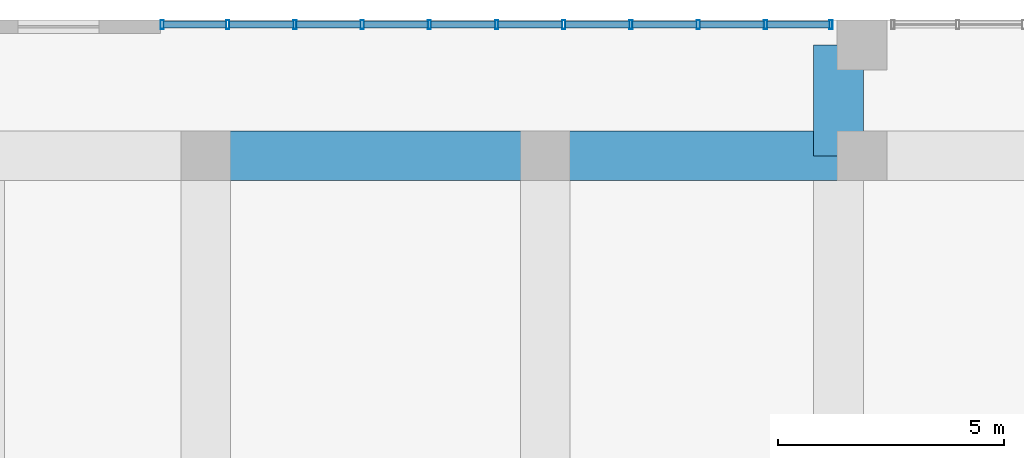
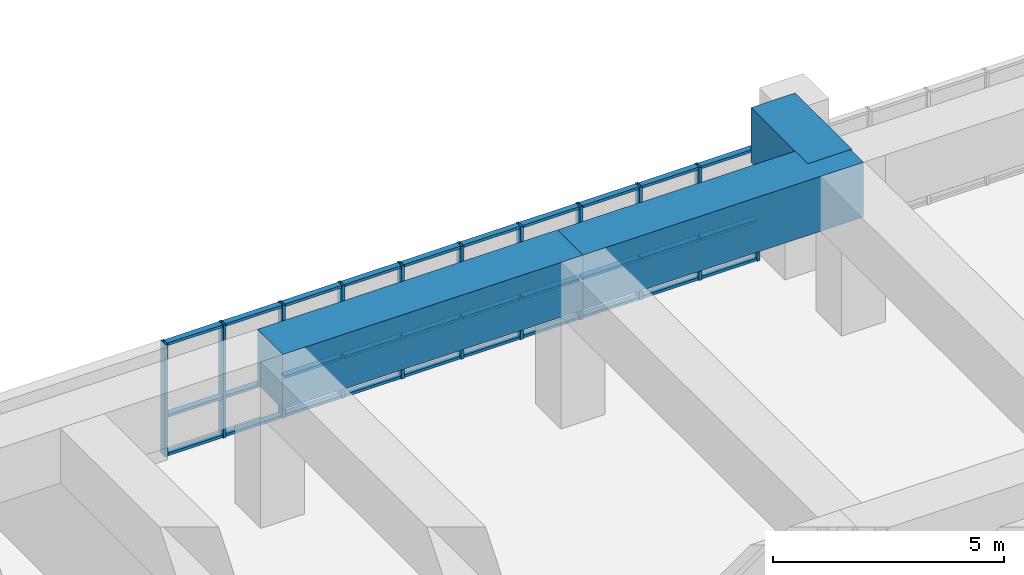
# One storey, part 10 of 28: 41 members, 3 beams, 1 element without a shape of its own.
"""IFC4 building model written with IfcOpenShell, lengths in metres."""

from ifc_helpers import new_model, si_unit, direction, frame, origin, origin_2d, place, context, subcontext, project, spatial, rectangle, hollow_rectangle, extrude, source, transform, mapped, material, layer, layer_set, material_profile, profile_set, type_object, element, aggregate, save


model = new_model("IFC4")

# Units and contexts
model_context = context("Model", 3, precision=1e-05, world=origin(), true_north=direction((0.0, 1.0)))
body_context = subcontext(model_context, "Body", "Model", "MODEL_VIEW")
ifc_project = project(units=[si_unit("LENGTHUNIT", "METRE"), si_unit("AREAUNIT", "SQUARE_METRE"), si_unit("VOLUMEUNIT", "CUBIC_METRE"), si_unit("PLANEANGLEUNIT", "RADIAN"), si_unit("MASSUNIT", "GRAM", prefix="KILO")], contexts=[model_context])

# Site, building, storey
site_placement = place(None, origin())
site = spatial("IfcSite", under=ifc_project, at=site_placement, CompositionType="ELEMENT")
building_placement = place(site_placement, origin())
building = spatial("IfcBuilding", under=site, at=building_placement, Name="Saelheon Loggia Tower", CompositionType="ELEMENT")
storey_placement = place(building_placement, frame((0.0, 0.0, 15.0)))
storey = spatial("IfcBuildingStorey", under=building, at=storey_placement, Name="L04", CompositionType="ELEMENT", Elevation=15.0)

# Beams
ifc_material_1 = material(Name="Concrete C50/60", Category="concrete")
ifc_material_profile_1 = material_profile(ifc_material_1, rectangle(XDim=1.10009765625, YDim=1.449951171875, at=origin_2d()), Name="RC-1100x1450")
ifc_profile_set_1 = profile_set([ifc_material_profile_1], Name="Concrete C50/60")
beam_type = type_object("IfcBeamType", Name="Beam_Transfer_RC1100x1450", PredefinedType="BEAM", material=ifc_profile_set_1)
shared_shape_1 = source(origin(), body_context, "Body", "SweptSolid", [
    extrude(rectangle(XDim=1.10009765625, YDim=1.449951171875, at=origin_2d()), origin(), (0.0, 0.0, 1.0), 7.5),
])
beam_1_placement = place(storey_placement, frame((17.0, 51.0, 3.675048828125), z_axis=(1.0, 0.0, 0.0), x_axis=(0.0, 1.0, 0.0)))
element("IfcBeam", 1, at=beam_1_placement, inside=storey, type_object=beam_type, Name="BM-L04-EW-51-3", PredefinedType="BEAM", context=body_context, shape_type="MappedRepresentation", body=[
    mapped(shared_shape_1, transform((0.0, 0.0, 0.0), scale=1.0)),
])
shared_shape_2 = source(origin(), body_context, "Body", "SweptSolid", [
    extrude(rectangle(XDim=1.10009765625, YDim=1.449951171875, at=origin_2d()), origin(), (0.0, 0.0, 1.0), 7.0),
])
beam_2_placement = place(storey_placement, frame((24.5, 51.0, 3.675048828125), z_axis=(1.0, 0.0, 0.0), x_axis=(0.0, 1.0, 0.0)))
element("IfcBeam", 2, at=beam_2_placement, inside=storey, type_object=beam_type, Name="BM-L04-EW-51-4", PredefinedType="BEAM", context=body_context, shape_type="MappedRepresentation", body=[
    mapped(shared_shape_2, transform((0.0, 0.0, 0.0), scale=1.0)),
])
shared_shape_3 = source(origin(), body_context, "Body", "SweptSolid", [
    extrude(rectangle(XDim=1.10009765625, YDim=1.449951171875, at=origin_2d()), origin(), (0.0, 0.0, 1.0), 2.449951171875),
])
beam_3_placement = place(storey_placement, frame((30.97998046875, 51.0, 3.675048828125), z_axis=(0.0, 1.0, 0.0), x_axis=(-1.0, 0.0, 0.0)))
element("IfcBeam", 3, at=beam_3_placement, inside=storey, type_object=beam_type, Name="BM-L04-NS-30-7", PredefinedType="BEAM", context=body_context, shape_type="MappedRepresentation", body=[
    mapped(shared_shape_3, transform((0.0, 0.0, 0.0), scale=1.0)),
])

# Curtain wall, members
ifc_material_2 = material(Name="Aluminium 6063-T6 and Low-E IGU", Category="aluminium")
ifc_layer = layer(ifc_material_2, 0.179931640625)
ifc_layer_set = layer_set([ifc_layer], Name="Aluminium 6063-T6 and Low-E IGU")
curtain_wall_type = type_object("IfcCurtainWallType", Name="CW_PodiumClinic", PredefinedType="NOTDEFINED", material=ifc_layer_set)
curtain_wall_placement = place(storey_placement, origin())
curtain_wall = element("IfcCurtainWall", 4, at=curtain_wall_placement, inside=storey, type_object=curtain_wall_type, Name="L04 North Clinic Curtain Wall 1", PredefinedType="NOTDEFINED")
ifc_material_3 = material(Name="Anodised Aluminium 6063-T6", Category="aluminium")
ifc_material_profile_2 = material_profile(ifc_material_3, hollow_rectangle(XDim=0.070068359375, YDim=0.14990234375, WallThickness=0.0048828125, at=origin_2d()), Name="RHS-150x70x5")
ifc_profile_set_2 = profile_set([ifc_material_profile_2], Name="Anodised Aluminium 6063-T6")
member_type_1 = type_object("IfcMemberType", Name="CW_PodiumClinic_Transom", PredefinedType="USERDEFINED", material=ifc_profile_set_2)
shared_shape_4 = source(origin(), body_context, "Body", "SweptSolid", [
    extrude(hollow_rectangle(XDim=0.070068359375, YDim=0.14990234375, WallThickness=0.0048828125, at=origin_2d()), origin(), (0.0, 0.0, 1.0), 1.3798828125),
])
member_1_placement = place(storey_placement, frame((16.070068359375, 53.89990234375, 0.034912109375), z_axis=(1.0, 0.0, 0.0), x_axis=(0.0, 0.0, 1.0)))
member_1 = element("IfcMember", 5, at=member_1_placement, type_object=member_type_1, Name="CW1 transom 1.1", ObjectType="TRANSOM", PredefinedType="USERDEFINED", context=body_context, shape_type="MappedRepresentation", body=[
    mapped(shared_shape_4, transform((0.0, 0.0, 0.0), scale=1.0)),
])
member_2_placement = place(storey_placement, frame((16.070068359375, 53.89990234375, 1.050048828125), z_axis=(1.0, 0.0, 0.0), x_axis=(0.0, 0.0, 1.0)))
member_2 = element("IfcMember", 6, at=member_2_placement, type_object=member_type_1, Name="CW1 transom 1.2", ObjectType="TRANSOM", PredefinedType="USERDEFINED", context=body_context, shape_type="MappedRepresentation", body=[
    mapped(shared_shape_4, transform((0.0, 0.0, 0.0), scale=1.0)),
])
member_3_placement = place(storey_placement, frame((16.070068359375, 53.89990234375, 2.945068359375), z_axis=(1.0, 0.0, 0.0), x_axis=(0.0, 0.0, 1.0)))
member_3 = element("IfcMember", 7, at=member_3_placement, type_object=member_type_1, Name="CW1 transom 1.3", ObjectType="TRANSOM", PredefinedType="USERDEFINED", context=body_context, shape_type="MappedRepresentation", body=[
    mapped(shared_shape_4, transform((0.0, 0.0, 0.0), scale=1.0)),
])
shared_shape_5 = source(origin(), body_context, "Body", "SweptSolid", [
    extrude(hollow_rectangle(XDim=0.070068359375, YDim=0.14990234375, WallThickness=0.0048828125, at=origin_2d()), origin(), (0.0, 0.0, 1.0), 1.4150390625),
])
member_4_placement = place(storey_placement, frame((17.52001953125, 53.89990234375, 0.034912109375), z_axis=(1.0, 0.0, 0.0), x_axis=(0.0, 0.0, 1.0)))
member_4 = element("IfcMember", 8, at=member_4_placement, type_object=member_type_1, Name="CW1 transom 2.1", ObjectType="TRANSOM", PredefinedType="USERDEFINED", context=body_context, shape_type="MappedRepresentation", body=[
    mapped(shared_shape_5, transform((0.0, 0.0, 0.0), scale=1.0)),
])
member_5_placement = place(storey_placement, frame((17.52001953125, 53.89990234375, 1.050048828125), z_axis=(1.0, 0.0, 0.0), x_axis=(0.0, 0.0, 1.0)))
member_5 = element("IfcMember", 9, at=member_5_placement, type_object=member_type_1, Name="CW1 transom 2.2", ObjectType="TRANSOM", PredefinedType="USERDEFINED", context=body_context, shape_type="MappedRepresentation", body=[
    mapped(shared_shape_5, transform((0.0, 0.0, 0.0), scale=1.0)),
])
member_6_placement = place(storey_placement, frame((17.52001953125, 53.89990234375, 2.945068359375), z_axis=(1.0, 0.0, 0.0), x_axis=(0.0, 0.0, 1.0)))
member_6 = element("IfcMember", 10, at=member_6_placement, type_object=member_type_1, Name="CW1 transom 2.3", ObjectType="TRANSOM", PredefinedType="USERDEFINED", context=body_context, shape_type="MappedRepresentation", body=[
    mapped(shared_shape_5, transform((0.0, 0.0, 0.0), scale=1.0)),
])
member_7_placement = place(storey_placement, frame((19.0048828125, 53.89990234375, 0.034912109375), z_axis=(1.0, 0.0, 0.0), x_axis=(0.0, 0.0, 1.0)))
member_7 = element("IfcMember", 11, at=member_7_placement, type_object=member_type_1, Name="CW1 transom 3.1", ObjectType="TRANSOM", PredefinedType="USERDEFINED", context=body_context, shape_type="MappedRepresentation", body=[
    mapped(shared_shape_5, transform((0.0, 0.0, 0.0), scale=1.0)),
])
member_8_placement = place(storey_placement, frame((19.0048828125, 53.89990234375, 1.050048828125), z_axis=(1.0, 0.0, 0.0), x_axis=(0.0, 0.0, 1.0)))
member_8 = element("IfcMember", 12, at=member_8_placement, type_object=member_type_1, Name="CW1 transom 3.2", ObjectType="TRANSOM", PredefinedType="USERDEFINED", context=body_context, shape_type="MappedRepresentation", body=[
    mapped(shared_shape_5, transform((0.0, 0.0, 0.0), scale=1.0)),
])
member_9_placement = place(storey_placement, frame((19.0048828125, 53.89990234375, 2.945068359375), z_axis=(1.0, 0.0, 0.0), x_axis=(0.0, 0.0, 1.0)))
member_9 = element("IfcMember", 13, at=member_9_placement, type_object=member_type_1, Name="CW1 transom 3.3", ObjectType="TRANSOM", PredefinedType="USERDEFINED", context=body_context, shape_type="MappedRepresentation", body=[
    mapped(shared_shape_5, transform((0.0, 0.0, 0.0), scale=1.0)),
])
member_10_placement = place(storey_placement, frame((20.489990234375, 53.89990234375, 0.034912109375), z_axis=(1.0, 0.0, 0.0), x_axis=(0.0, 0.0, 1.0)))
member_10 = element("IfcMember", 14, at=member_10_placement, type_object=member_type_1, Name="CW1 transom 4.1", ObjectType="TRANSOM", PredefinedType="USERDEFINED", context=body_context, shape_type="MappedRepresentation", body=[
    mapped(shared_shape_5, transform((0.0, 0.0, 0.0), scale=1.0)),
])
member_11_placement = place(storey_placement, frame((20.489990234375, 53.89990234375, 1.050048828125), z_axis=(1.0, 0.0, 0.0), x_axis=(0.0, 0.0, 1.0)))
member_11 = element("IfcMember", 15, at=member_11_placement, type_object=member_type_1, Name="CW1 transom 4.2", ObjectType="TRANSOM", PredefinedType="USERDEFINED", context=body_context, shape_type="MappedRepresentation", body=[
    mapped(shared_shape_5, transform((0.0, 0.0, 0.0), scale=1.0)),
])
member_12_placement = place(storey_placement, frame((20.489990234375, 53.89990234375, 2.945068359375), z_axis=(1.0, 0.0, 0.0), x_axis=(0.0, 0.0, 1.0)))
member_12 = element("IfcMember", 16, at=member_12_placement, type_object=member_type_1, Name="CW1 transom 4.3", ObjectType="TRANSOM", PredefinedType="USERDEFINED", context=body_context, shape_type="MappedRepresentation", body=[
    mapped(shared_shape_5, transform((0.0, 0.0, 0.0), scale=1.0)),
])
member_13_placement = place(storey_placement, frame((23.4599609375, 53.89990234375, 0.034912109375), z_axis=(1.0, 0.0, 0.0), x_axis=(0.0, 0.0, 1.0)))
member_13 = element("IfcMember", 17, at=member_13_placement, type_object=member_type_1, Name="CW1 transom 6.1", ObjectType="TRANSOM", PredefinedType="USERDEFINED", context=body_context, shape_type="MappedRepresentation", body=[
    mapped(shared_shape_5, transform((0.0, 0.0, 0.0), scale=1.0)),
])
member_14_placement = place(storey_placement, frame((23.4599609375, 53.89990234375, 1.050048828125), z_axis=(1.0, 0.0, 0.0), x_axis=(0.0, 0.0, 1.0)))
member_14 = element("IfcMember", 18, at=member_14_placement, type_object=member_type_1, Name="CW1 transom 6.2", ObjectType="TRANSOM", PredefinedType="USERDEFINED", context=body_context, shape_type="MappedRepresentation", body=[
    mapped(shared_shape_5, transform((0.0, 0.0, 0.0), scale=1.0)),
])
member_15_placement = place(storey_placement, frame((23.4599609375, 53.89990234375, 2.945068359375), z_axis=(1.0, 0.0, 0.0), x_axis=(0.0, 0.0, 1.0)))
member_15 = element("IfcMember", 19, at=member_15_placement, type_object=member_type_1, Name="CW1 transom 6.3", ObjectType="TRANSOM", PredefinedType="USERDEFINED", context=body_context, shape_type="MappedRepresentation", body=[
    mapped(shared_shape_5, transform((0.0, 0.0, 0.0), scale=1.0)),
])
member_16_placement = place(storey_placement, frame((24.945068359375, 53.89990234375, 0.034912109375), z_axis=(1.0, 0.0, 0.0), x_axis=(0.0, 0.0, 1.0)))
member_16 = element("IfcMember", 20, at=member_16_placement, type_object=member_type_1, Name="CW1 transom 7.1", ObjectType="TRANSOM", PredefinedType="USERDEFINED", context=body_context, shape_type="MappedRepresentation", body=[
    mapped(shared_shape_5, transform((0.0, 0.0, 0.0), scale=1.0)),
])
member_17_placement = place(storey_placement, frame((24.945068359375, 53.89990234375, 1.050048828125), z_axis=(1.0, 0.0, 0.0), x_axis=(0.0, 0.0, 1.0)))
member_17 = element("IfcMember", 21, at=member_17_placement, type_object=member_type_1, Name="CW1 transom 7.2", ObjectType="TRANSOM", PredefinedType="USERDEFINED", context=body_context, shape_type="MappedRepresentation", body=[
    mapped(shared_shape_5, transform((0.0, 0.0, 0.0), scale=1.0)),
])
member_18_placement = place(storey_placement, frame((24.945068359375, 53.89990234375, 2.945068359375), z_axis=(1.0, 0.0, 0.0), x_axis=(0.0, 0.0, 1.0)))
member_18 = element("IfcMember", 22, at=member_18_placement, type_object=member_type_1, Name="CW1 transom 7.3", ObjectType="TRANSOM", PredefinedType="USERDEFINED", context=body_context, shape_type="MappedRepresentation", body=[
    mapped(shared_shape_5, transform((0.0, 0.0, 0.0), scale=1.0)),
])
member_19_placement = place(storey_placement, frame((26.429931640625, 53.89990234375, 0.034912109375), z_axis=(1.0, 0.0, 0.0), x_axis=(0.0, 0.0, 1.0)))
member_19 = element("IfcMember", 23, at=member_19_placement, type_object=member_type_1, Name="CW1 transom 8.1", ObjectType="TRANSOM", PredefinedType="USERDEFINED", context=body_context, shape_type="MappedRepresentation", body=[
    mapped(shared_shape_5, transform((0.0, 0.0, 0.0), scale=1.0)),
])
member_20_placement = place(storey_placement, frame((26.429931640625, 53.89990234375, 1.050048828125), z_axis=(1.0, 0.0, 0.0), x_axis=(0.0, 0.0, 1.0)))
member_20 = element("IfcMember", 24, at=member_20_placement, type_object=member_type_1, Name="CW1 transom 8.2", ObjectType="TRANSOM", PredefinedType="USERDEFINED", context=body_context, shape_type="MappedRepresentation", body=[
    mapped(shared_shape_5, transform((0.0, 0.0, 0.0), scale=1.0)),
])
member_21_placement = place(storey_placement, frame((26.429931640625, 53.89990234375, 2.945068359375), z_axis=(1.0, 0.0, 0.0), x_axis=(0.0, 0.0, 1.0)))
member_21 = element("IfcMember", 25, at=member_21_placement, type_object=member_type_1, Name="CW1 transom 8.3", ObjectType="TRANSOM", PredefinedType="USERDEFINED", context=body_context, shape_type="MappedRepresentation", body=[
    mapped(shared_shape_5, transform((0.0, 0.0, 0.0), scale=1.0)),
])
member_22_placement = place(storey_placement, frame((27.9150390625, 53.89990234375, 0.034912109375), z_axis=(1.0, 0.0, 0.0), x_axis=(0.0, 0.0, 1.0)))
member_22 = element("IfcMember", 26, at=member_22_placement, type_object=member_type_1, Name="CW1 transom 9.1", ObjectType="TRANSOM", PredefinedType="USERDEFINED", context=body_context, shape_type="MappedRepresentation", body=[
    mapped(shared_shape_5, transform((0.0, 0.0, 0.0), scale=1.0)),
])
member_23_placement = place(storey_placement, frame((27.9150390625, 53.89990234375, 1.050048828125), z_axis=(1.0, 0.0, 0.0), x_axis=(0.0, 0.0, 1.0)))
member_23 = element("IfcMember", 27, at=member_23_placement, type_object=member_type_1, Name="CW1 transom 9.2", ObjectType="TRANSOM", PredefinedType="USERDEFINED", context=body_context, shape_type="MappedRepresentation", body=[
    mapped(shared_shape_5, transform((0.0, 0.0, 0.0), scale=1.0)),
])
member_24_placement = place(storey_placement, frame((27.9150390625, 53.89990234375, 2.945068359375), z_axis=(1.0, 0.0, 0.0), x_axis=(0.0, 0.0, 1.0)))
member_24 = element("IfcMember", 28, at=member_24_placement, type_object=member_type_1, Name="CW1 transom 9.3", ObjectType="TRANSOM", PredefinedType="USERDEFINED", context=body_context, shape_type="MappedRepresentation", body=[
    mapped(shared_shape_5, transform((0.0, 0.0, 0.0), scale=1.0)),
])
shared_shape_6 = source(origin(), body_context, "Body", "SweptSolid", [
    extrude(hollow_rectangle(XDim=0.070068359375, YDim=0.14990234375, WallThickness=0.0048828125, at=origin_2d()), origin(), (0.0, 0.0, 1.0), 1.414794921875),
])
member_25_placement = place(storey_placement, frame((21.97509765625, 53.89990234375, 0.034912109375), z_axis=(1.0, 0.0, 0.0), x_axis=(0.0, 0.0, 1.0)))
member_25 = element("IfcMember", 29, at=member_25_placement, type_object=member_type_1, Name="CW1 transom 5.1", ObjectType="TRANSOM", PredefinedType="USERDEFINED", context=body_context, shape_type="MappedRepresentation", body=[
    mapped(shared_shape_6, transform((0.0, 0.0, 0.0), scale=1.0)),
])
member_26_placement = place(storey_placement, frame((21.97509765625, 53.89990234375, 1.050048828125), z_axis=(1.0, 0.0, 0.0), x_axis=(0.0, 0.0, 1.0)))
member_26 = element("IfcMember", 30, at=member_26_placement, type_object=member_type_1, Name="CW1 transom 5.2", ObjectType="TRANSOM", PredefinedType="USERDEFINED", context=body_context, shape_type="MappedRepresentation", body=[
    mapped(shared_shape_6, transform((0.0, 0.0, 0.0), scale=1.0)),
])
member_27_placement = place(storey_placement, frame((21.97509765625, 53.89990234375, 2.945068359375), z_axis=(1.0, 0.0, 0.0), x_axis=(0.0, 0.0, 1.0)))
member_27 = element("IfcMember", 31, at=member_27_placement, type_object=member_type_1, Name="CW1 transom 5.3", ObjectType="TRANSOM", PredefinedType="USERDEFINED", context=body_context, shape_type="MappedRepresentation", body=[
    mapped(shared_shape_6, transform((0.0, 0.0, 0.0), scale=1.0)),
])
shared_shape_7 = source(origin(), body_context, "Body", "SweptSolid", [
    extrude(hollow_rectangle(XDim=0.070068359375, YDim=0.14990234375, WallThickness=0.0048828125, at=origin_2d()), origin(), (0.0, 0.0, 1.0), 1.380126953125),
])
member_28_placement = place(storey_placement, frame((29.39990234375, 53.89990234375, 0.034912109375), z_axis=(1.0, 0.0, 0.0), x_axis=(0.0, 0.0, 1.0)))
member_28 = element("IfcMember", 32, at=member_28_placement, type_object=member_type_1, Name="CW1 transom 10.1", ObjectType="TRANSOM", PredefinedType="USERDEFINED", context=body_context, shape_type="MappedRepresentation", body=[
    mapped(shared_shape_7, transform((0.0, 0.0, 0.0), scale=1.0)),
])
member_29_placement = place(storey_placement, frame((29.39990234375, 53.89990234375, 1.050048828125), z_axis=(1.0, 0.0, 0.0), x_axis=(0.0, 0.0, 1.0)))
member_29 = element("IfcMember", 33, at=member_29_placement, type_object=member_type_1, Name="CW1 transom 10.2", ObjectType="TRANSOM", PredefinedType="USERDEFINED", context=body_context, shape_type="MappedRepresentation", body=[
    mapped(shared_shape_7, transform((0.0, 0.0, 0.0), scale=1.0)),
])
member_30_placement = place(storey_placement, frame((29.39990234375, 53.89990234375, 2.945068359375), z_axis=(1.0, 0.0, 0.0), x_axis=(0.0, 0.0, 1.0)))
member_30 = element("IfcMember", 34, at=member_30_placement, type_object=member_type_1, Name="CW1 transom 10.3", ObjectType="TRANSOM", PredefinedType="USERDEFINED", context=body_context, shape_type="MappedRepresentation", body=[
    mapped(shared_shape_7, transform((0.0, 0.0, 0.0), scale=1.0)),
])
ifc_material_profile_3 = material_profile(ifc_material_3, hollow_rectangle(XDim=0.070068359375, YDim=0.199951171875, WallThickness=0.0048828125, at=origin_2d()), Name="RHS-200x70x5")
ifc_profile_set_3 = profile_set([ifc_material_profile_3], Name="Anodised Aluminium 6063-T6")
member_type_2 = type_object("IfcMemberType", Name="CW_PodiumClinic_Mullion", PredefinedType="MULLION", material=ifc_profile_set_3)
shared_shape_8 = source(origin(), body_context, "Body", "SweptSolid", [
    extrude(hollow_rectangle(XDim=0.070068359375, YDim=0.199951171875, WallThickness=0.0048828125, at=origin_2d()), origin(), (0.0, 0.0, 1.0), 2.97998046875),
])
member_31_placement = place(storey_placement, frame((16.034912109375, 53.89990234375, 0.0), z_axis=(0.0, 0.0, 1.0), x_axis=(1.0, 0.0, 0.0)))
member_31 = element("IfcMember", 35, at=member_31_placement, type_object=member_type_2, Name="CW1 mullion 1", PredefinedType="MULLION", context=body_context, shape_type="MappedRepresentation", body=[
    mapped(shared_shape_8, transform((0.0, 0.0, 0.0), scale=1.0)),
])
member_32_placement = place(storey_placement, frame((17.485107421875, 53.89990234375, 0.0), z_axis=(0.0, 0.0, 1.0), x_axis=(1.0, 0.0, 0.0)))
member_32 = element("IfcMember", 36, at=member_32_placement, type_object=member_type_2, Name="CW1 mullion 2", PredefinedType="MULLION", context=body_context, shape_type="MappedRepresentation", body=[
    mapped(shared_shape_8, transform((0.0, 0.0, 0.0), scale=1.0)),
])
member_33_placement = place(storey_placement, frame((18.969970703125, 53.89990234375, 0.0), z_axis=(0.0, 0.0, 1.0), x_axis=(1.0, 0.0, 0.0)))
member_33 = element("IfcMember", 37, at=member_33_placement, type_object=member_type_2, Name="CW1 mullion 3", PredefinedType="MULLION", context=body_context, shape_type="MappedRepresentation", body=[
    mapped(shared_shape_8, transform((0.0, 0.0, 0.0), scale=1.0)),
])
member_34_placement = place(storey_placement, frame((20.455078125, 53.89990234375, 0.0), z_axis=(0.0, 0.0, 1.0), x_axis=(1.0, 0.0, 0.0)))
member_34 = element("IfcMember", 38, at=member_34_placement, type_object=member_type_2, Name="CW1 mullion 4", PredefinedType="MULLION", context=body_context, shape_type="MappedRepresentation", body=[
    mapped(shared_shape_8, transform((0.0, 0.0, 0.0), scale=1.0)),
])
member_35_placement = place(storey_placement, frame((21.93994140625, 53.89990234375, 0.0), z_axis=(0.0, 0.0, 1.0), x_axis=(1.0, 0.0, 0.0)))
member_35 = element("IfcMember", 39, at=member_35_placement, type_object=member_type_2, Name="CW1 mullion 5", PredefinedType="MULLION", context=body_context, shape_type="MappedRepresentation", body=[
    mapped(shared_shape_8, transform((0.0, 0.0, 0.0), scale=1.0)),
])
member_36_placement = place(storey_placement, frame((23.425048828125, 53.89990234375, 0.0), z_axis=(0.0, 0.0, 1.0), x_axis=(1.0, 0.0, 0.0)))
member_36 = element("IfcMember", 40, at=member_36_placement, type_object=member_type_2, Name="CW1 mullion 6", PredefinedType="MULLION", context=body_context, shape_type="MappedRepresentation", body=[
    mapped(shared_shape_8, transform((0.0, 0.0, 0.0), scale=1.0)),
])
member_37_placement = place(storey_placement, frame((24.909912109375, 53.89990234375, 0.0), z_axis=(0.0, 0.0, 1.0), x_axis=(1.0, 0.0, 0.0)))
member_37 = element("IfcMember", 41, at=member_37_placement, type_object=member_type_2, Name="CW1 mullion 7", PredefinedType="MULLION", context=body_context, shape_type="MappedRepresentation", body=[
    mapped(shared_shape_8, transform((0.0, 0.0, 0.0), scale=1.0)),
])
member_38_placement = place(storey_placement, frame((26.39501953125, 53.89990234375, 0.0), z_axis=(0.0, 0.0, 1.0), x_axis=(1.0, 0.0, 0.0)))
member_38 = element("IfcMember", 42, at=member_38_placement, type_object=member_type_2, Name="CW1 mullion 8", PredefinedType="MULLION", context=body_context, shape_type="MappedRepresentation", body=[
    mapped(shared_shape_8, transform((0.0, 0.0, 0.0), scale=1.0)),
])
member_39_placement = place(storey_placement, frame((27.8798828125, 53.89990234375, 0.0), z_axis=(0.0, 0.0, 1.0), x_axis=(1.0, 0.0, 0.0)))
member_39 = element("IfcMember", 43, at=member_39_placement, type_object=member_type_2, Name="CW1 mullion 9", PredefinedType="MULLION", context=body_context, shape_type="MappedRepresentation", body=[
    mapped(shared_shape_8, transform((0.0, 0.0, 0.0), scale=1.0)),
])
member_40_placement = place(storey_placement, frame((29.364990234375, 53.89990234375, 0.0), z_axis=(0.0, 0.0, 1.0), x_axis=(1.0, 0.0, 0.0)))
member_40 = element("IfcMember", 44, at=member_40_placement, type_object=member_type_2, Name="CW1 mullion 10", PredefinedType="MULLION", context=body_context, shape_type="MappedRepresentation", body=[
    mapped(shared_shape_8, transform((0.0, 0.0, 0.0), scale=1.0)),
])
member_41_placement = place(storey_placement, frame((30.81494140625, 53.89990234375, 0.0), z_axis=(0.0, 0.0, 1.0), x_axis=(1.0, 0.0, 0.0)))
member_41 = element("IfcMember", 45, at=member_41_placement, type_object=member_type_2, Name="CW1 mullion 11", PredefinedType="MULLION", context=body_context, shape_type="MappedRepresentation", body=[
    mapped(shared_shape_8, transform((0.0, 0.0, 0.0), scale=1.0)),
])
aggregate(curtain_wall, [member_31, member_32, member_33, member_34, member_35, member_36, member_37, member_38, member_39, member_40, member_41, member_1, member_2, member_3, member_4, member_5, member_6, member_7, member_8, member_9, member_10, member_11, member_12, member_25, member_26, member_27, member_13, member_14, member_15, member_16, member_17, member_18, member_19, member_20, member_21, member_22, member_23, member_24, member_28, member_29, member_30])

save(model, "model.ifc")
